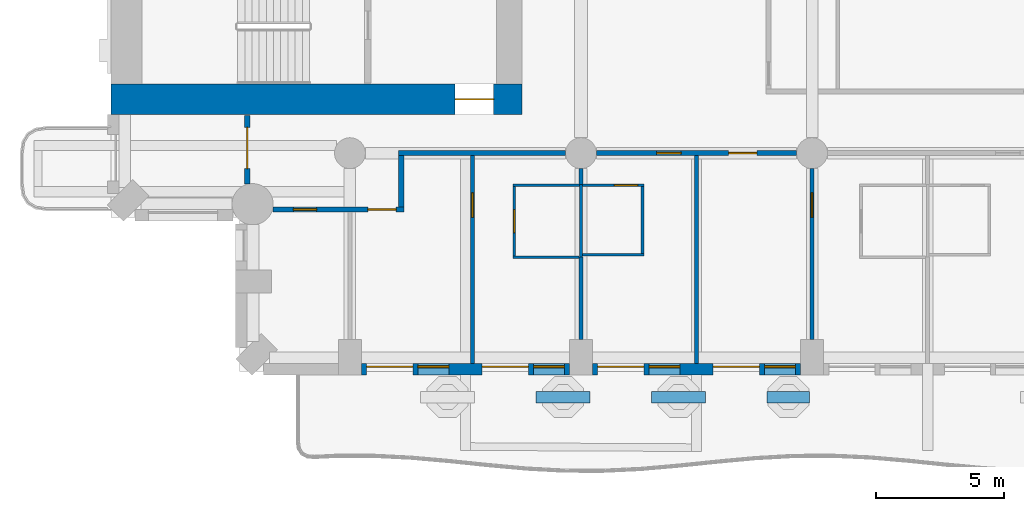
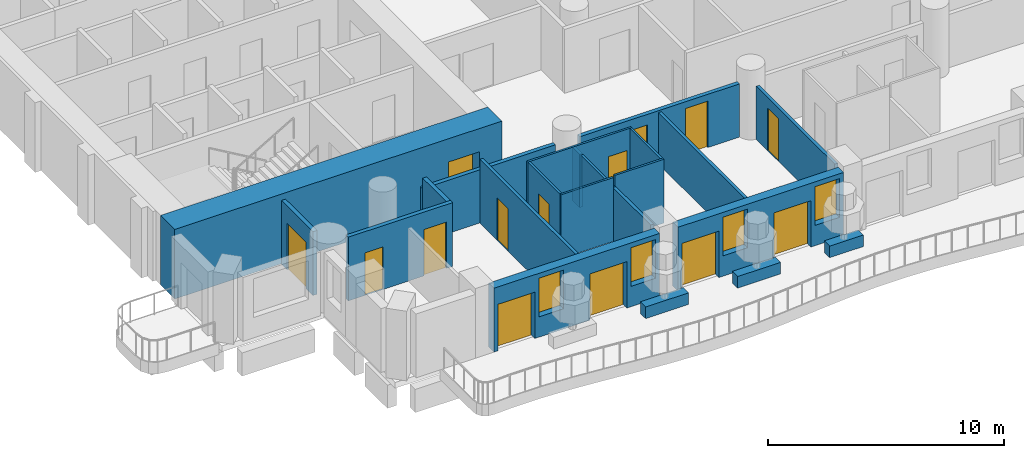
# One storey, part 3 of 20: 22 walls, 14 doors, 4 windows, 18 openings.
"""IFC4 building model written with IfcOpenShell, lengths in metres."""

from ifc_helpers import new_model, si_unit, direction, frame, frame_2d, origin, place, context, subcontext, project, spatial, rectangle, extrude, material, layer, layer_set, type_object, element, fill, save


model = new_model("IFC4")

# Units and contexts
model_context = context("Model", 3, precision=1e-05, world=origin(), true_north=direction((0.0, 1.0)))
body_context = subcontext(model_context, "Body", "Model", "MODEL_VIEW")
ifc_project = project(units=[si_unit("LENGTHUNIT", "METRE"), si_unit("AREAUNIT", "SQUARE_METRE"), si_unit("VOLUMEUNIT", "CUBIC_METRE"), si_unit("PLANEANGLEUNIT", "RADIAN"), si_unit("MASSUNIT", "GRAM", prefix="KILO")], contexts=[model_context])

# Site, building, storey
site_placement = place(None, origin())
site = spatial("IfcSite", under=ifc_project, at=site_placement, CompositionType="ELEMENT")
building_placement = place(site_placement, origin())
building = spatial("IfcBuilding", under=site, at=building_placement, Name="Cypress Arch Tower", CompositionType="ELEMENT")
storey_placement = place(building_placement, frame((0.0, 0.0, 84.300048828125)))
storey = spatial("IfcBuildingStorey", under=building, at=storey_placement, Name="L15", CompositionType="ELEMENT", Elevation=84.300048828125)

# Walls
ifc_material_1 = material(Name="Concrete C40/50, waterproofed", Category="concrete")
ifc_layer_1 = layer(ifc_material_1, 0.449951171875)
ifc_layer_set_1 = layer_set([ifc_layer_1], Name="Balcony planter wall PW450")
wall_type_1 = type_object("IfcWallType", Name="Balcony planter wall PW450", PredefinedType="SOLIDWALL", material=ifc_layer_set_1)
for number, where, z_axis, x_axis, name in (
    (1, (-13.449951171875, -27.0, 0.0), (0.0, 0.0, 1.0), (1.0, 0.0, 0.0), "Balcony planter wall L15-A03.2"),
    (2, (-8.949951171875, -27.0, 0.0), (0.0, 0.0, 1.0), (1.0, 0.0, 0.0), "Balcony planter wall L15-A03.3"),
):
    element("IfcWall", number, at=place(storey_placement, frame(where, z_axis=z_axis, x_axis=x_axis)), inside=storey, type_object=wall_type_1, Name=name, PredefinedType="SOLIDWALL", context=body_context, shape_type="SweptSolid", body=[
        extrude(rectangle(XDim=2.099853515625, YDim=0.449951171875, at=frame_2d((1.0498046875, 0.0))), origin(), (0.0, 0.0, 1.0), 0.599853515625),
    ])
wall_1_placement = place(storey_placement, frame((-4.449951171875, -27.0, 0.0), z_axis=(0.0, 0.0, 1.0), x_axis=(1.0, 0.0, 0.0)))
element("IfcWall", 3, at=wall_1_placement, inside=storey, type_object=wall_type_1, Name="Balcony planter wall L15-A03.4", PredefinedType="SOLIDWALL", context=body_context, shape_type="SweptSolid", body=[
    extrude(rectangle(XDim=1.64990234375, YDim=0.449951171875, at=frame_2d((0.824951171875, 0.0))), origin(), (0.0, 0.0, 1.0), 0.599853515625),
])

# Wall, openings, doors, windows
ifc_material_2 = material(Name="Brick (red buff blend)", Category="masonry")
ifc_layer_2 = layer(ifc_material_2, 0.449951171875)
ifc_layer_set_2 = layer_set([ifc_layer_2], Name="Brick pier and spandrel wall BW450")
wall_type_2 = type_object("IfcWallType", Name="Brick pier and spandrel wall BW450", PredefinedType="SOLIDWALL", material=ifc_layer_set_2)
wall_2_placement = place(storey_placement, frame((-20.25, -25.925048828125, 0.0), z_axis=(0.0, 0.0, 1.0), x_axis=(1.0, 0.0, 0.0)))
wall_2 = element("IfcWall", 4, at=wall_2_placement, inside=storey, type_object=wall_type_2, Name="Brick wall L15 A03.1", PredefinedType="SOLIDWALL", context=body_context, shape_type="SweptSolid", body=[
    extrude(rectangle(XDim=8.10009765625, YDim=0.449951171875, at=frame_2d((4.050048828125, 0.0))), origin(), (0.0, 0.0, 1.0), 3.300048828125),
])
opening_1_placement = place(wall_2_placement, frame((0.199951171875, 0.0, 0.0)))
opening_1 = element("IfcOpeningElement", 5, at=opening_1_placement, cuts=wall_2, Name="Opening D-L15-A03.1.1", PredefinedType="OPENING", context=body_context, shape_type="SweptSolid", body=[
    extrude(rectangle(XDim=1.800048828125, YDim=2.39990234375, at=frame_2d((0.89990234375, 1.199951171875))), frame((0.0, 0.23486328125, 0.0), z_axis=(0.0, -1.0, 0.0), x_axis=(1.0, 0.0, 0.0)), (0.0, 0.0, 1.0), 0.469970703125),
])
opening_2_placement = place(wall_2_placement, frame((2.199951171875, 0.0, 1.050048828125)))
opening_2 = element("IfcOpeningElement", 6, at=opening_2_placement, cuts=wall_2, Name="Opening W120HD", PredefinedType="OPENING", context=body_context, shape_type="SweptSolid", body=[
    extrude(rectangle(XDim=1.199951171875, YDim=2.0, at=frame_2d((0.60009765625, 1.0))), frame((0.0, 0.23486328125, 0.0), z_axis=(0.0, -1.0, 0.0), x_axis=(1.0, 0.0, 0.0)), (0.0, 0.0, 1.0), 0.469970703125),
])
opening_3_placement = place(wall_2_placement, frame((4.699951171875, 0.0, 0.0)))
opening_3 = element("IfcOpeningElement", 7, at=opening_3_placement, cuts=wall_2, Name="Opening D-L15-A03.1.2", PredefinedType="OPENING", context=body_context, shape_type="SweptSolid", body=[
    extrude(rectangle(XDim=1.800048828125, YDim=2.39990234375, at=frame_2d((0.89990234375, 1.199951171875))), frame((0.0, 0.23486328125, 0.0), z_axis=(0.0, -1.0, 0.0), x_axis=(1.0, 0.0, 0.0)), (0.0, 0.0, 1.0), 0.469970703125),
])
opening_4_placement = place(wall_2_placement, frame((6.699951171875, 0.0, 1.050048828125)))
opening_4 = element("IfcOpeningElement", 8, at=opening_4_placement, cuts=wall_2, Name="Opening W120HD", PredefinedType="OPENING", context=body_context, shape_type="SweptSolid", body=[
    extrude(rectangle(XDim=1.199951171875, YDim=2.0, at=frame_2d((0.60009765625, 1.0))), frame((0.0, 0.23486328125, 0.0), z_axis=(0.0, -1.0, 0.0), x_axis=(1.0, 0.0, 0.0)), (0.0, 0.0, 1.0), 0.469970703125),
])
ifc_material_3 = material(Name="Anodised aluminium, bronze finish, laminated low-emissivity double glazing, large-missile impact rated", Category="aluminium")
door_type_1 = type_object("IfcDoorType", Name="Balcony sliding door 1800x2400", OperationType="SLIDING_TO_LEFT", PredefinedType="DOOR", material=ifc_material_3)
door_1_placement = place(opening_1_placement, origin())
door_1 = element("IfcDoor", 9, at=door_1_placement, inside=storey, type_object=door_type_1, Name="Balcony door L15 A03.1.1", OperationType="SLIDING_TO_LEFT", OverallHeight=2.39990234375, OverallWidth=1.800048828125, PredefinedType="DOOR", context=body_context, shape_type="SweptSolid", body=[
    extrude(rectangle(XDim=1.800048828125, YDim=2.39990234375, at=frame_2d((0.89990234375, 1.199951171875))), frame((0.0, 0.1298828125, 0.0), z_axis=(0.0, -1.0, 0.0), x_axis=(1.0, 0.0, 0.0)), (0.0, 0.0, 1.0), 0.050048828125),
])
fill(opening_1, door_1)
door_2_placement = place(opening_3_placement, origin())
door_2 = element("IfcDoor", 10, at=door_2_placement, inside=storey, type_object=door_type_1, Name="Balcony door L15 A03.1.2", OperationType="SLIDING_TO_LEFT", OverallHeight=2.39990234375, OverallWidth=1.800048828125, PredefinedType="DOOR", context=body_context, shape_type="SweptSolid", body=[
    extrude(rectangle(XDim=1.800048828125, YDim=2.39990234375, at=frame_2d((0.89990234375, 1.199951171875))), frame((0.0, 0.1298828125, 0.0), z_axis=(0.0, -1.0, 0.0), x_axis=(1.0, 0.0, 0.0)), (0.0, 0.0, 1.0), 0.050048828125),
])
fill(opening_3, door_2)
ifc_material_4 = material(Name="Anodised aluminium, bronze finish, laminated low-emissivity double glazing, large-missile impact rated", Category="aluminium")
window_type = type_object("IfcWindowType", Name="Window Hotel 1200x2000 debris-rated", PartitioningType="SINGLE_PANEL", PredefinedType="WINDOW", material=ifc_material_4)
window_1_placement = place(opening_2_placement, origin())
window_1 = element("IfcWindow", 11, at=window_1_placement, inside=storey, type_object=window_type, Name="Window L15 A03.1.1", OverallHeight=2.0, OverallWidth=1.199951171875, PartitioningType="SINGLE_PANEL", PredefinedType="WINDOW", context=body_context, shape_type="SweptSolid", body=[
    extrude(rectangle(XDim=1.199951171875, YDim=2.0, at=frame_2d((0.60009765625, 1.0))), frame((0.0, 0.135009765625, 0.0), z_axis=(0.0, -1.0, 0.0), x_axis=(1.0, 0.0, 0.0)), (0.0, 0.0, 1.0), 0.06005859375),
])
fill(opening_2, window_1)
window_2_placement = place(opening_4_placement, origin())
window_2 = element("IfcWindow", 12, at=window_2_placement, inside=storey, type_object=window_type, Name="Window L15 A03.1.2", OverallHeight=2.0, OverallWidth=1.199951171875, PartitioningType="SINGLE_PANEL", PredefinedType="WINDOW", context=body_context, shape_type="SweptSolid", body=[
    extrude(rectangle(XDim=1.199951171875, YDim=2.0, at=frame_2d((0.60009765625, 1.0))), frame((0.0, 0.135009765625, 0.0), z_axis=(0.0, -1.0, 0.0), x_axis=(1.0, 0.0, 0.0)), (0.0, 0.0, 1.0), 0.06005859375),
])
fill(opening_4, window_2)

wall_3_placement = place(storey_placement, frame((-11.25, -25.925048828125, 0.0), z_axis=(0.0, 0.0, 1.0), x_axis=(1.0, 0.0, 0.0)))
wall_3 = element("IfcWall", 13, at=wall_3_placement, inside=storey, type_object=wall_type_2, Name="Brick wall L15 A03.2", PredefinedType="SOLIDWALL", context=body_context, shape_type="SweptSolid", body=[
    extrude(rectangle(XDim=8.10009765625, YDim=0.449951171875, at=frame_2d((4.050048828125, 0.0))), origin(), (0.0, 0.0, 1.0), 3.300048828125),
])
opening_5_placement = place(wall_3_placement, frame((0.199951171875, 0.0, 0.0)))
opening_5 = element("IfcOpeningElement", 14, at=opening_5_placement, cuts=wall_3, Name="Opening D-L15-A03.2.1", PredefinedType="OPENING", context=body_context, shape_type="SweptSolid", body=[
    extrude(rectangle(XDim=1.800048828125, YDim=2.39990234375, at=frame_2d((0.89990234375, 1.199951171875))), frame((0.0, 0.23486328125, 0.0), z_axis=(0.0, -1.0, 0.0), x_axis=(1.0, 0.0, 0.0)), (0.0, 0.0, 1.0), 0.469970703125),
])
opening_6_placement = place(wall_3_placement, frame((2.199951171875, 0.0, 1.050048828125)))
opening_6 = element("IfcOpeningElement", 15, at=opening_6_placement, cuts=wall_3, Name="Opening W120HD", PredefinedType="OPENING", context=body_context, shape_type="SweptSolid", body=[
    extrude(rectangle(XDim=1.199951171875, YDim=2.0, at=frame_2d((0.60009765625, 1.0))), frame((0.0, 0.23486328125, 0.0), z_axis=(0.0, -1.0, 0.0), x_axis=(1.0, 0.0, 0.0)), (0.0, 0.0, 1.0), 0.469970703125),
])
opening_7_placement = place(wall_3_placement, frame((4.699951171875, 0.0, 0.0)))
opening_7 = element("IfcOpeningElement", 16, at=opening_7_placement, cuts=wall_3, Name="Opening D-L15-A03.2.2", PredefinedType="OPENING", context=body_context, shape_type="SweptSolid", body=[
    extrude(rectangle(XDim=1.800048828125, YDim=2.39990234375, at=frame_2d((0.89990234375, 1.199951171875))), frame((0.0, 0.23486328125, 0.0), z_axis=(0.0, -1.0, 0.0), x_axis=(1.0, 0.0, 0.0)), (0.0, 0.0, 1.0), 0.469970703125),
])
opening_8_placement = place(wall_3_placement, frame((6.699951171875, 0.0, 1.050048828125)))
opening_8 = element("IfcOpeningElement", 17, at=opening_8_placement, cuts=wall_3, Name="Opening W120HD", PredefinedType="OPENING", context=body_context, shape_type="SweptSolid", body=[
    extrude(rectangle(XDim=1.199951171875, YDim=2.0, at=frame_2d((0.60009765625, 1.0))), frame((0.0, 0.23486328125, 0.0), z_axis=(0.0, -1.0, 0.0), x_axis=(1.0, 0.0, 0.0)), (0.0, 0.0, 1.0), 0.469970703125),
])
door_3_placement = place(opening_5_placement, origin())
door_3 = element("IfcDoor", 18, at=door_3_placement, inside=storey, type_object=door_type_1, Name="Balcony door L15 A03.2.1", OperationType="SLIDING_TO_LEFT", OverallHeight=2.39990234375, OverallWidth=1.800048828125, PredefinedType="DOOR", context=body_context, shape_type="SweptSolid", body=[
    extrude(rectangle(XDim=1.800048828125, YDim=2.39990234375, at=frame_2d((0.89990234375, 1.199951171875))), frame((0.0, 0.1298828125, 0.0), z_axis=(0.0, -1.0, 0.0), x_axis=(1.0, 0.0, 0.0)), (0.0, 0.0, 1.0), 0.050048828125),
])
fill(opening_5, door_3)
door_4_placement = place(opening_7_placement, origin())
door_4 = element("IfcDoor", 19, at=door_4_placement, inside=storey, type_object=door_type_1, Name="Balcony door L15 A03.2.2", OperationType="SLIDING_TO_LEFT", OverallHeight=2.39990234375, OverallWidth=1.800048828125, PredefinedType="DOOR", context=body_context, shape_type="SweptSolid", body=[
    extrude(rectangle(XDim=1.800048828125, YDim=2.39990234375, at=frame_2d((0.89990234375, 1.199951171875))), frame((0.0, 0.1298828125, 0.0), z_axis=(0.0, -1.0, 0.0), x_axis=(1.0, 0.0, 0.0)), (0.0, 0.0, 1.0), 0.050048828125),
])
fill(opening_7, door_4)
window_3_placement = place(opening_6_placement, origin())
window_3 = element("IfcWindow", 20, at=window_3_placement, inside=storey, type_object=window_type, Name="Window L15 A03.2.1", OverallHeight=2.0, OverallWidth=1.199951171875, PartitioningType="SINGLE_PANEL", PredefinedType="WINDOW", context=body_context, shape_type="SweptSolid", body=[
    extrude(rectangle(XDim=1.199951171875, YDim=2.0, at=frame_2d((0.60009765625, 1.0))), frame((0.0, 0.135009765625, 0.0), z_axis=(0.0, -1.0, 0.0), x_axis=(1.0, 0.0, 0.0)), (0.0, 0.0, 1.0), 0.06005859375),
])
fill(opening_6, window_3)
window_4_placement = place(opening_8_placement, origin())
window_4 = element("IfcWindow", 21, at=window_4_placement, inside=storey, type_object=window_type, Name="Window L15 A03.2.2", OverallHeight=2.0, OverallWidth=1.199951171875, PartitioningType="SINGLE_PANEL", PredefinedType="WINDOW", context=body_context, shape_type="SweptSolid", body=[
    extrude(rectangle(XDim=1.199951171875, YDim=2.0, at=frame_2d((0.60009765625, 1.0))), frame((0.0, 0.135009765625, 0.0), z_axis=(0.0, -1.0, 0.0), x_axis=(1.0, 0.0, 0.0)), (0.0, 0.0, 1.0), 0.06005859375),
])
fill(opening_8, window_4)

# Wall, opening, door
ifc_material_5 = material(Name="Concrete C80/95", Category="concrete")
ifc_layer_3 = layer(ifc_material_5, 1.199951171875)
ifc_layer_set_3 = layer_set([ifc_layer_3], Name="Core wall CW1200 C80/95")
wall_type_3 = type_object("IfcWallType", Name="Core wall CW1200 C80/95", PredefinedType="SHEAR", material=ifc_layer_set_3)
wall_4_placement = place(storey_placement, frame((-30.0, -15.39990234375, 0.0), z_axis=(0.0, 0.0, 1.0), x_axis=(1.0, 0.0, 0.0)))
wall_4 = element("IfcWall", 22, at=wall_4_placement, inside=storey, type_object=wall_type_3, Name="Core wall", PredefinedType="SHEAR", context=body_context, shape_type="SweptSolid", body=[
    extrude(rectangle(XDim=16.0, YDim=1.199951171875, at=frame_2d((8.0, 0.0))), origin(), (0.0, 0.0, 1.0), 3.599853515625),
])
opening_9_placement = place(wall_4_placement, frame((13.39990234375, 0.0, 0.0)))
opening_9 = element("IfcOpeningElement", 23, at=opening_9_placement, cuts=wall_4, Name="Opening D07", PredefinedType="OPENING", context=body_context, shape_type="SweptSolid", body=[
    extrude(rectangle(XDim=1.5, YDim=2.39990234375, at=frame_2d((0.75, 1.199951171875))), frame((0.0, 0.60986328125, 0.0), z_axis=(0.0, -1.0, 0.0), x_axis=(1.0, 0.0, 0.0)), (0.0, 0.0, 1.0), 1.219970703125),
])
ifc_material_6 = material(Name="Steel framed glazed door, fire resisting", Category="steel")
door_type_2 = type_object("IfcDoorType", Name="Lobby door D07 1500x2400", OperationType="DOUBLE_DOOR_SINGLE_SWING", PredefinedType="DOOR", material=ifc_material_6)
door_5_placement = place(opening_9_placement, origin())
door_5 = element("IfcDoor", 24, at=door_5_placement, inside=storey, type_object=door_type_2, Name="Lobby door", OperationType="DOUBLE_DOOR_SINGLE_SWING", OverallHeight=2.39990234375, OverallWidth=1.5, PredefinedType="DOOR", context=body_context, shape_type="SweptSolid", body=[
    extrude(rectangle(XDim=1.5, YDim=2.39990234375, at=frame_2d((0.75, 1.199951171875))), frame((0.0, 0.02490234375, 0.0), z_axis=(0.0, -1.0, 0.0), x_axis=(1.0, 0.0, 0.0)), (0.0, 0.0, 1.0), 0.050048828125),
])
fill(opening_9, door_5)

ifc_material_7 = material(Name="Concrete blockwork, plastered, rated", Category="masonry")
ifc_layer_4 = layer(ifc_material_7, 0.199951171875)
ifc_layer_set_4 = layer_set([ifc_layer_4], Name="Corridor wall FW200")
wall_type_4 = type_object("IfcWallType", Name="Corridor wall FW200", PredefinedType="PARTITIONING", material=ifc_layer_set_4)
wall_5_placement = place(storey_placement, frame((-24.699951171875, -18.7001953125, 0.0), z_axis=(0.0, 0.0, 1.0), x_axis=(0.0, 1.0, 0.0)))
wall_5 = element("IfcWall", 25, at=wall_5_placement, inside=storey, type_object=wall_type_4, Name="Corridor wall", PredefinedType="PARTITIONING", context=body_context, shape_type="SweptSolid", body=[
    extrude(rectangle(XDim=2.670166015625, YDim=0.199951171875, at=frame_2d((1.3349609375, 0.0))), origin(), (0.0, 0.0, 1.0), 3.300048828125),
])
opening_10_placement = place(wall_5_placement, frame((0.60009765625, 0.0, 0.0)))
opening_10 = element("IfcOpeningElement", 26, at=opening_10_placement, cuts=wall_5, Name="Opening D10", PredefinedType="OPENING", context=body_context, shape_type="SweptSolid", body=[
    extrude(rectangle(XDim=1.60009765625, YDim=2.39990234375, at=frame_2d((0.800048828125, 1.199951171875))), frame((0.0, 0.10986328125, 0.0), z_axis=(0.0, -1.0, 0.0), x_axis=(1.0, 0.0, 0.0)), (0.0, 0.0, 1.0), 0.219970703125),
])
ifc_material_8 = material(Name="Black aluminium glazed door", Category="aluminium")
door_type_3 = type_object("IfcDoorType", Name="Amenity door D10 1600x2400", OperationType="DOUBLE_DOOR_SINGLE_SWING", PredefinedType="DOOR", material=ifc_material_8)
door_6_placement = place(opening_10_placement, origin())
door_6 = element("IfcDoor", 27, at=door_6_placement, inside=storey, type_object=door_type_3, Name="Amenity door", OperationType="DOUBLE_DOOR_SINGLE_SWING", OverallHeight=2.39990234375, OverallWidth=1.60009765625, PredefinedType="DOOR", context=body_context, shape_type="SweptSolid", body=[
    extrude(rectangle(XDim=1.60009765625, YDim=2.39990234375, at=frame_2d((0.800048828125, 1.199951171875))), frame((0.0, 0.02490234375, 0.0), z_axis=(0.0, -1.0, 0.0), x_axis=(1.0, 0.0, 0.0)), (0.0, 0.0, 1.0), 0.050048828125),
])
fill(opening_10, door_6)

# Wall, openings, doors
wall_6_placement = place(storey_placement, frame((-23.7001953125, -19.699951171875, 0.0), z_axis=(0.0, 0.0, 1.0), x_axis=(1.0, 0.0, 0.0)))
wall_6 = element("IfcWall", 28, at=wall_6_placement, inside=storey, type_object=wall_type_4, Name="Corridor wall", PredefinedType="PARTITIONING", context=body_context, shape_type="SweptSolid", body=[
    extrude(rectangle(XDim=5.10009765625, YDim=0.199951171875, at=frame_2d((2.550048828125, 0.0))), origin(), (0.0, 0.0, 1.0), 3.300048828125),
])
opening_11_placement = place(wall_6_placement, frame((0.800048828125, 0.0, 0.0)))
opening_11 = element("IfcOpeningElement", 29, at=opening_11_placement, cuts=wall_6, Name="Opening D05", PredefinedType="OPENING", context=body_context, shape_type="SweptSolid", body=[
    extrude(rectangle(XDim=0.89990234375, YDim=2.199951171875, at=frame_2d((0.449951171875, 1.10009765625))), frame((0.0, 0.10986328125, 0.0), z_axis=(0.0, -1.0, 0.0), x_axis=(1.0, 0.0, 0.0)), (0.0, 0.0, 1.0), 0.219970703125),
])
opening_12_placement = place(wall_6_placement, frame((3.699951171875, 0.0, 0.0)))
opening_12 = element("IfcOpeningElement", 30, at=opening_12_placement, cuts=wall_6, Name="Opening D01", PredefinedType="OPENING", context=body_context, shape_type="SweptSolid", body=[
    extrude(rectangle(XDim=1.10009765625, YDim=2.39990234375, at=frame_2d((0.550048828125, 1.199951171875))), frame((0.0, 0.10986328125, 0.0), z_axis=(0.0, -1.0, 0.0), x_axis=(1.0, 0.0, 0.0)), (0.0, 0.0, 1.0), 0.219970703125),
])
ifc_material_9 = material(Name="Timber flush door", Category="wood")
door_type_4 = type_object("IfcDoorType", Name="Service door D05 900x2200", OperationType="SINGLE_SWING_LEFT", PredefinedType="DOOR", material=ifc_material_9)
door_7_placement = place(opening_11_placement, origin())
door_7 = element("IfcDoor", 31, at=door_7_placement, inside=storey, type_object=door_type_4, Name="Service door", OperationType="SINGLE_SWING_RIGHT", OverallHeight=2.199951171875, OverallWidth=0.89990234375, PredefinedType="DOOR", context=body_context, shape_type="SweptSolid", body=[
    extrude(rectangle(XDim=0.89990234375, YDim=2.199951171875, at=frame_2d((0.449951171875, 1.10009765625))), frame((0.0, 0.02490234375, 0.0), z_axis=(0.0, -1.0, 0.0), x_axis=(1.0, 0.0, 0.0)), (0.0, 0.0, 1.0), 0.050048828125),
])
fill(opening_11, door_7)
ifc_material_10 = material(Name="Timber flush door, fire resisting, self-closing", Category="wood")
door_type_5 = type_object("IfcDoorType", Name="Unit entrance door D01 1100x2400", OperationType="SINGLE_SWING_LEFT", PredefinedType="DOOR", material=ifc_material_10)
door_8_placement = place(opening_12_placement, origin())
door_8 = element("IfcDoor", 32, at=door_8_placement, inside=storey, type_object=door_type_5, Name="Unit entrance door", OperationType="SINGLE_SWING_RIGHT", OverallHeight=2.39990234375, OverallWidth=1.10009765625, PredefinedType="DOOR", context=body_context, shape_type="SweptSolid", body=[
    extrude(rectangle(XDim=1.10009765625, YDim=2.39990234375, at=frame_2d((0.550048828125, 1.199951171875))), frame((0.0, 0.02490234375, 0.0), z_axis=(0.0, -1.0, 0.0), x_axis=(1.0, 0.0, 0.0)), (0.0, 0.0, 1.0), 0.050048828125),
])
fill(opening_12, door_8)

# Walls
wall_7_placement = place(storey_placement, frame((-18.699951171875, -19.60009765625, 0.0), z_axis=(0.0, 0.0, 1.0), x_axis=(0.0, 1.0, 0.0)))
element("IfcWall", 33, at=wall_7_placement, inside=storey, type_object=wall_type_4, Name="Corridor wall", PredefinedType="PARTITIONING", context=body_context, shape_type="SweptSolid", body=[
    extrude(rectangle(XDim=2.0, YDim=0.199951171875, at=frame_2d((1.0, 0.0))), origin(), (0.0, 0.0, 1.0), 3.300048828125),
])
wall_8_placement = place(storey_placement, frame((-18.800048828125, -17.5, 0.0), z_axis=(0.0, 0.0, 1.0), x_axis=(1.0, 0.0, 0.0)))
element("IfcWall", 34, at=wall_8_placement, inside=storey, type_object=wall_type_4, Name="Corridor wall", PredefinedType="PARTITIONING", context=body_context, shape_type="SweptSolid", body=[
    extrude(rectangle(XDim=6.5, YDim=0.199951171875, at=frame_2d((3.25, 0.0))), origin(), (0.0, 0.0, 1.0), 2.75),
])

# Wall, openings, doors
wall_9_placement = place(storey_placement, frame((-11.10009765625, -17.5, 0.0), z_axis=(0.0, 0.0, 1.0), x_axis=(1.0, 0.0, 0.0)))
wall_9 = element("IfcWall", 35, at=wall_9_placement, inside=storey, type_object=wall_type_4, Name="Corridor wall", PredefinedType="PARTITIONING", context=body_context, shape_type="SweptSolid", body=[
    extrude(rectangle(XDim=7.800048828125, YDim=0.199951171875, at=frame_2d((3.89990234375, 0.0))), origin(), (0.0, 0.0, 1.0), 2.75),
])
opening_13_placement = place(wall_9_placement, frame((2.35009765625, 0.0, 0.0)))
opening_13 = element("IfcOpeningElement", 36, at=opening_13_placement, cuts=wall_9, Name="Opening D02", PredefinedType="OPENING", context=body_context, shape_type="SweptSolid", body=[
    extrude(rectangle(XDim=0.949951171875, YDim=2.199951171875, at=frame_2d((0.47509765625, 1.10009765625))), frame((0.0, 0.10986328125, 0.0), z_axis=(0.0, -1.0, 0.0), x_axis=(1.0, 0.0, 0.0)), (0.0, 0.0, 1.0), 0.219970703125),
])
opening_14_placement = place(wall_9_placement, frame((5.14990234375, 0.0, 0.0)))
opening_14 = element("IfcOpeningElement", 37, at=opening_14_placement, cuts=wall_9, Name="Opening D01", PredefinedType="OPENING", context=body_context, shape_type="SweptSolid", body=[
    extrude(rectangle(XDim=1.10009765625, YDim=2.39990234375, at=frame_2d((0.550048828125, 1.199951171875))), frame((0.0, 0.10986328125, 0.0), z_axis=(0.0, -1.0, 0.0), x_axis=(1.0, 0.0, 0.0)), (0.0, 0.0, 1.0), 0.219970703125),
])
ifc_material_11 = material(Name="Timber flush door, fire resisting", Category="wood")
door_type_6 = type_object("IfcDoorType", Name="Room door D02 950x2200", OperationType="SINGLE_SWING_LEFT", PredefinedType="DOOR", material=ifc_material_11)
door_9_placement = place(opening_13_placement, origin())
door_9 = element("IfcDoor", 38, at=door_9_placement, inside=storey, type_object=door_type_6, Name="Room door", OperationType="SINGLE_SWING_LEFT", OverallHeight=2.199951171875, OverallWidth=0.949951171875, PredefinedType="DOOR", context=body_context, shape_type="SweptSolid", body=[
    extrude(rectangle(XDim=0.949951171875, YDim=2.199951171875, at=frame_2d((0.47509765625, 1.10009765625))), frame((0.0, 0.02490234375, 0.0), z_axis=(0.0, -1.0, 0.0), x_axis=(1.0, 0.0, 0.0)), (0.0, 0.0, 1.0), 0.050048828125),
])
fill(opening_13, door_9)
door_10_placement = place(opening_14_placement, origin())
door_10 = element("IfcDoor", 39, at=door_10_placement, inside=storey, type_object=door_type_5, Name="Unit entrance door", OperationType="SINGLE_SWING_RIGHT", OverallHeight=2.39990234375, OverallWidth=1.10009765625, PredefinedType="DOOR", context=body_context, shape_type="SweptSolid", body=[
    extrude(rectangle(XDim=1.10009765625, YDim=2.39990234375, at=frame_2d((0.550048828125, 1.199951171875))), frame((0.0, 0.02490234375, 0.0), z_axis=(0.0, -1.0, 0.0), x_axis=(1.0, 0.0, 0.0)), (0.0, 0.0, 1.0), 0.050048828125),
])
fill(opening_14, door_10)

# Wall, opening, door
ifc_material_12 = material(Name="Blockwork, plastered both sides", Category="masonry")
ifc_layer_5 = layer(ifc_material_12, 0.14990234375)
ifc_layer_set_5 = layer_set([ifc_layer_5], Name="Partition PW150")
wall_type_5 = type_object("IfcWallType", Name="Partition PW150", PredefinedType="PARTITIONING", material=ifc_layer_set_5)
wall_10_placement = place(storey_placement, frame((-15.930908203125, -25.699951171875, 0.0), z_axis=(0.0, 0.0, 1.0), x_axis=(0.0, 1.0, 0.0)))
wall_10 = element("IfcWall", 40, at=wall_10_placement, inside=storey, type_object=wall_type_5, Name="Partition", PredefinedType="PARTITIONING", context=body_context, shape_type="SweptSolid", body=[
    extrude(rectangle(XDim=8.099853515625, YDim=0.14990234375, at=frame_2d((4.0498046875, 0.0))), origin(), (0.0, 0.0, 1.0), 3.300048828125),
])
opening_15_placement = place(wall_10_placement, frame((5.699951171875, 0.0, 0.0)))
opening_15 = element("IfcOpeningElement", 41, at=opening_15_placement, cuts=wall_10, Name="Opening D12", PredefinedType="OPENING", context=body_context, shape_type="SweptSolid", body=[
    extrude(rectangle(XDim=0.949951171875, YDim=2.199951171875, at=frame_2d((0.47509765625, 1.10009765625))), frame((0.0, 0.0849609375, 0.0), z_axis=(0.0, -1.0, 0.0), x_axis=(1.0, 0.0, 0.0)), (0.0, 0.0, 1.0), 0.169921875),
])
ifc_material_13 = material(Name="Timber flush door", Category="wood")
door_type_7 = type_object("IfcDoorType", Name="Room door D12 950x2200", OperationType="SINGLE_SWING_LEFT", PredefinedType="DOOR", material=ifc_material_13)
door_11_placement = place(opening_15_placement, origin())
door_11 = element("IfcDoor", 42, at=door_11_placement, inside=storey, type_object=door_type_7, Name="Room door", OperationType="SINGLE_SWING_RIGHT", OverallHeight=2.199951171875, OverallWidth=0.949951171875, PredefinedType="DOOR", context=body_context, shape_type="SweptSolid", body=[
    extrude(rectangle(XDim=0.949951171875, YDim=2.199951171875, at=frame_2d((0.47509765625, 1.10009765625))), frame((0.0, 0.02490234375, 0.0), z_axis=(0.0, -1.0, 0.0), x_axis=(1.0, 0.0, 0.0)), (0.0, 0.0, 1.0), 0.050048828125),
])
fill(opening_15, door_11)

# Walls
wall_11_placement = place(storey_placement, frame((-11.699951171875, -24.75, 0.0), z_axis=(0.0, 0.0, 1.0), x_axis=(0.0, 1.0, 0.0)))
element("IfcWall", 43, at=wall_11_placement, inside=storey, type_object=wall_type_5, Name="Partition", PredefinedType="PARTITIONING", context=body_context, shape_type="SweptSolid", body=[
    extrude(rectangle(XDim=3.199951171875, YDim=0.14990234375, at=frame_2d((1.60009765625, 0.0))), origin(), (0.0, 0.0, 1.0), 2.75),
])
wall_12_placement = place(storey_placement, frame((-11.699951171875, -18.72998046875, 0.0), z_axis=(0.0, 0.0, 1.0), x_axis=(0.0, 1.0, 0.0)))
element("IfcWall", 44, at=wall_12_placement, inside=storey, type_object=wall_type_5, Name="Partition", PredefinedType="PARTITIONING", context=body_context, shape_type="SweptSolid", body=[
    extrude(rectangle(XDim=0.6298828125, YDim=0.14990234375, at=frame_2d((0.31494140625, 0.0))), origin(), (0.0, 0.0, 1.0), 2.75),
])
wall_13_placement = place(storey_placement, frame((-7.199951171875, -25.699951171875, 0.0), z_axis=(0.0, 0.0, 1.0), x_axis=(0.0, 1.0, 0.0)))
element("IfcWall", 45, at=wall_13_placement, inside=storey, type_object=wall_type_5, Name="Partition", PredefinedType="PARTITIONING", context=body_context, shape_type="SweptSolid", body=[
    extrude(rectangle(XDim=8.099853515625, YDim=0.14990234375, at=frame_2d((4.0498046875, 0.0))), origin(), (0.0, 0.0, 1.0), 2.64990234375),
])

# Wall, opening, door
wall_14_placement = place(storey_placement, frame((-2.699951171875, -24.75, 0.0), z_axis=(0.0, 0.0, 1.0), x_axis=(0.0, 1.0, 0.0)))
wall_14 = element("IfcWall", 46, at=wall_14_placement, inside=storey, type_object=wall_type_5, Name="Partition", PredefinedType="PARTITIONING", context=body_context, shape_type="SweptSolid", body=[
    extrude(rectangle(XDim=6.64990234375, YDim=0.14990234375, at=frame_2d((3.324951171875, 0.0))), origin(), (0.0, 0.0, 1.0), 2.75),
])
opening_16_placement = place(wall_14_placement, frame((4.75, 0.0, 0.0)))
opening_16 = element("IfcOpeningElement", 47, at=opening_16_placement, cuts=wall_14, Name="Opening D12", PredefinedType="OPENING", context=body_context, shape_type="SweptSolid", body=[
    extrude(rectangle(XDim=0.949951171875, YDim=2.199951171875, at=frame_2d((0.47509765625, 1.10009765625))), frame((0.0, 0.0849609375, 0.0), z_axis=(0.0, -1.0, 0.0), x_axis=(1.0, 0.0, 0.0)), (0.0, 0.0, 1.0), 0.169921875),
])
door_12_placement = place(opening_16_placement, origin())
door_12 = element("IfcDoor", 48, at=door_12_placement, inside=storey, type_object=door_type_7, Name="Room door", OperationType="SINGLE_SWING_RIGHT", OverallHeight=2.199951171875, OverallWidth=0.949951171875, PredefinedType="DOOR", context=body_context, shape_type="SweptSolid", body=[
    extrude(rectangle(XDim=0.949951171875, YDim=2.199951171875, at=frame_2d((0.47509765625, 1.10009765625))), frame((0.0, 0.02490234375, 0.0), z_axis=(0.0, -1.0, 0.0), x_axis=(1.0, 0.0, 0.0)), (0.0, 0.0, 1.0), 0.050048828125),
])
fill(opening_16, door_12)

ifc_material_14 = material(Name="Moisture resistant board on steel studs, tiled", Category="steel")
ifc_layer_6 = layer(ifc_material_14, 0.10009765625)
ifc_layer_set_6 = layer_set([ifc_layer_6], Name="Wet wall PW100")
wall_type_6 = type_object("IfcWallType", Name="Wet wall PW100", PredefinedType="PARTITIONING", material=ifc_layer_set_6)
wall_15_placement = place(storey_placement, frame((-14.2958984375, -21.5, 0.0), z_axis=(0.0, 0.0, 1.0), x_axis=(0.0, 1.0, 0.0)))
wall_15 = element("IfcWall", 49, at=wall_15_placement, inside=storey, type_object=wall_type_6, Name="Wet wall", PredefinedType="PARTITIONING", context=body_context, shape_type="SweptSolid", body=[
    extrude(rectangle(XDim=2.699951171875, YDim=0.10009765625, at=frame_2d((1.35009765625, 0.0))), origin(), (0.0, 0.0, 1.0), 3.300048828125),
])
opening_17_placement = place(wall_15_placement, frame((0.89990234375, 0.0, 0.0)))
opening_17 = element("IfcOpeningElement", 50, at=opening_17_placement, cuts=wall_15, Name="Opening D03", PredefinedType="OPENING", context=body_context, shape_type="SweptSolid", body=[
    extrude(rectangle(XDim=0.89990234375, YDim=2.199951171875, at=frame_2d((0.449951171875, 1.10009765625))), frame((0.0, 0.06005859375, 0.0), z_axis=(0.0, -1.0, 0.0), x_axis=(1.0, 0.0, 0.0)), (0.0, 0.0, 1.0), 0.1201171875),
])
ifc_material_15 = material(Name="Timber flush door, moisture resistant", Category="wood")
door_type_8 = type_object("IfcDoorType", Name="Bathroom door D03 900x2200", OperationType="SINGLE_SWING_LEFT", PredefinedType="DOOR", material=ifc_material_15)
door_13_placement = place(opening_17_placement, origin())
door_13 = element("IfcDoor", 51, at=door_13_placement, inside=storey, type_object=door_type_8, Name="Bathroom door", OperationType="SINGLE_SWING_LEFT", OverallHeight=2.199951171875, OverallWidth=0.89990234375, PredefinedType="DOOR", context=body_context, shape_type="SweptSolid", body=[
    extrude(rectangle(XDim=0.89990234375, YDim=2.199951171875, at=frame_2d((0.449951171875, 1.10009765625))), frame((0.0, 0.02490234375, 0.0), z_axis=(0.0, -1.0, 0.0), x_axis=(1.0, 0.0, 0.0)), (0.0, 0.0, 1.0), 0.050048828125),
])
fill(opening_17, door_13)

# Wall
wall_16_placement = place(storey_placement, frame((-14.345947265625, -21.550048828125, 0.0), z_axis=(0.0, 0.0, 1.0), x_axis=(1.0, 0.0, 0.0)))
element("IfcWall", 52, at=wall_16_placement, inside=storey, type_object=wall_type_6, Name="Wet wall", PredefinedType="PARTITIONING", context=body_context, shape_type="SweptSolid", body=[
    extrude(rectangle(XDim=2.571044921875, YDim=0.10009765625, at=frame_2d((1.28564453125, 0.0))), origin(), (0.0, 0.0, 1.0), 3.300048828125),
])

# Wall, opening, door
wall_17_placement = place(storey_placement, frame((-14.345947265625, -18.75, 0.0), z_axis=(0.0, 0.0, 1.0), x_axis=(1.0, 0.0, 0.0)))
wall_17 = element("IfcWall", 53, at=wall_17_placement, inside=storey, type_object=wall_type_6, Name="Wet wall", PredefinedType="PARTITIONING", context=body_context, shape_type="SweptSolid", body=[
    extrude(rectangle(XDim=5.092041015625, YDim=0.10009765625, at=frame_2d((2.5458984375, 0.0))), origin(), (0.0, 0.0, 1.0), 3.300048828125),
])
opening_18_placement = place(wall_17_placement, frame((3.949951171875, 0.0, 0.0)))
opening_18 = element("IfcOpeningElement", 54, at=opening_18_placement, cuts=wall_17, Name="Opening D03", PredefinedType="OPENING", context=body_context, shape_type="SweptSolid", body=[
    extrude(rectangle(XDim=0.89990234375, YDim=2.199951171875, at=frame_2d((0.449951171875, 1.10009765625))), frame((0.0, 0.06005859375, 0.0), z_axis=(0.0, -1.0, 0.0), x_axis=(1.0, 0.0, 0.0)), (0.0, 0.0, 1.0), 0.1201171875),
])
door_14_placement = place(opening_18_placement, origin())
door_14 = element("IfcDoor", 55, at=door_14_placement, inside=storey, type_object=door_type_8, Name="Bathroom door", OperationType="SINGLE_SWING_LEFT", OverallHeight=2.199951171875, OverallWidth=0.89990234375, PredefinedType="DOOR", context=body_context, shape_type="SweptSolid", body=[
    extrude(rectangle(XDim=0.89990234375, YDim=2.199951171875, at=frame_2d((0.449951171875, 1.10009765625))), frame((0.0, 0.02490234375, 0.0), z_axis=(0.0, -1.0, 0.0), x_axis=(1.0, 0.0, 0.0)), (0.0, 0.0, 1.0), 0.050048828125),
])
fill(opening_18, door_14)

# Walls
wall_18_placement = place(storey_placement, frame((-11.699951171875, -21.550048828125, 0.0), z_axis=(0.0, 0.0, 1.0), x_axis=(0.0, 1.0, 0.0)))
element("IfcWall", 56, at=wall_18_placement, inside=storey, type_object=wall_type_6, Name="Wet wall", PredefinedType="PARTITIONING", context=body_context, shape_type="SweptSolid", body=[
    extrude(rectangle(XDim=2.820068359375, YDim=0.10009765625, at=frame_2d((1.41015625, 0.0))), origin(), (0.0, 0.0, 1.0), 2.75),
])
wall_19_placement = place(storey_placement, frame((-11.64990234375, -21.449951171875, 0.0), z_axis=(0.0, 0.0, 1.0), x_axis=(1.0, 0.0, 0.0)))
element("IfcWall", 57, at=wall_19_placement, inside=storey, type_object=wall_type_6, Name="Wet wall", PredefinedType="PARTITIONING", context=body_context, shape_type="SweptSolid", body=[
    extrude(rectangle(XDim=2.39599609375, YDim=0.10009765625, at=frame_2d((1.197998046875, 0.0))), origin(), (0.0, 0.0, 1.0), 3.300048828125),
])
wall_20_placement = place(storey_placement, frame((-9.303955078125, -21.39990234375, 0.0), z_axis=(0.0, 0.0, 1.0), x_axis=(0.0, 1.0, 0.0)))
element("IfcWall", 58, at=wall_20_placement, inside=storey, type_object=wall_type_6, Name="Wet wall", PredefinedType="PARTITIONING", context=body_context, shape_type="SweptSolid", body=[
    extrude(rectangle(XDim=2.599853515625, YDim=0.10009765625, at=frame_2d((1.2998046875, 0.0))), origin(), (0.0, 0.0, 1.0), 3.300048828125),
])

save(model, "model.ifc")
